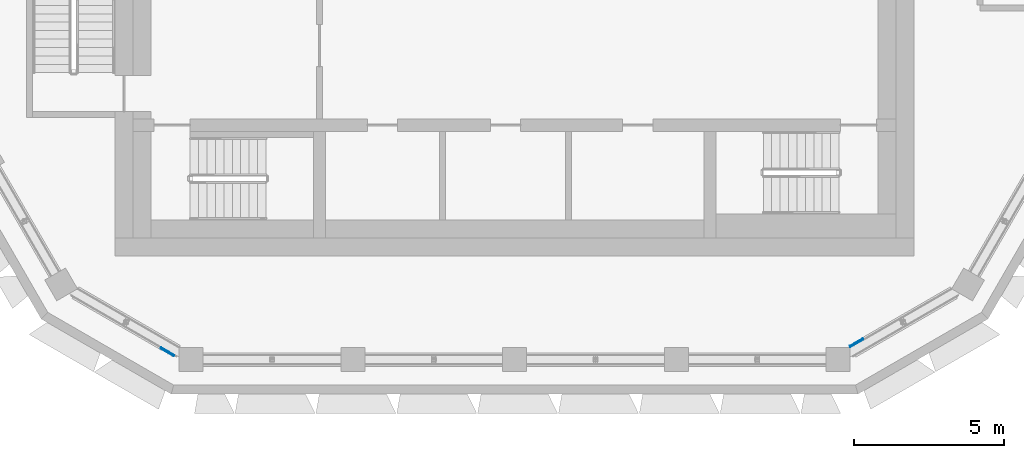
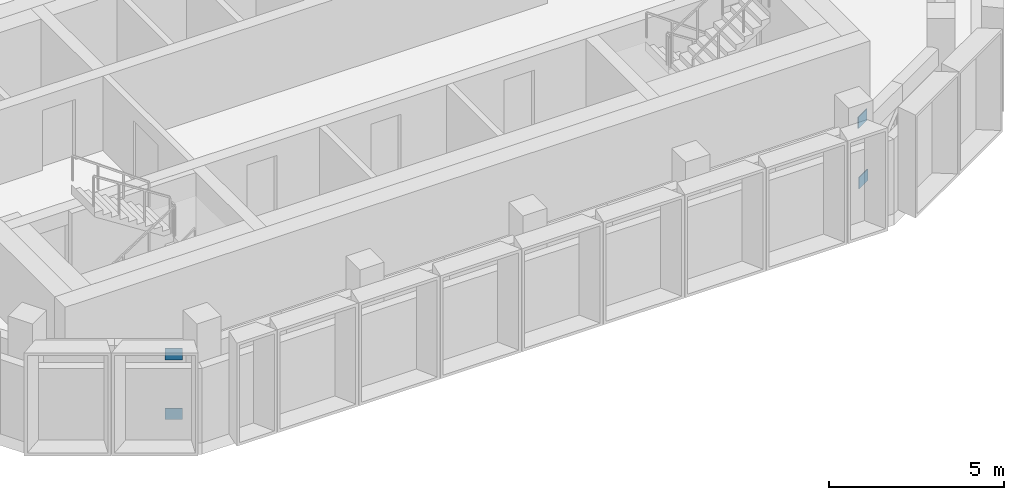
# One storey, part 15 of 24: 4 discrete accessories.
"""IFC4 building model written with IfcOpenShell, lengths in metres."""

from ifc_helpers import new_model, si_unit, direction, frame, origin, origin_2d, place, context, subcontext, project, spatial, rectangle, extrude, material, type_object, element, save


model = new_model("IFC4")

# Units and contexts
model_context = context("Model", 3, precision=1e-05, world=origin(), true_north=direction((0.0, 1.0)))
body_context = subcontext(model_context, "Body", "Model", "MODEL_VIEW")
ifc_project = project(units=[si_unit("LENGTHUNIT", "METRE"), si_unit("AREAUNIT", "SQUARE_METRE"), si_unit("VOLUMEUNIT", "CUBIC_METRE"), si_unit("PLANEANGLEUNIT", "RADIAN"), si_unit("MASSUNIT", "GRAM", prefix="KILO")], contexts=[model_context])

# Site, building, storey
site_placement = place(None, origin())
site = spatial("IfcSite", under=ifc_project, at=site_placement, CompositionType="ELEMENT")
building_placement = place(site_placement, origin())
building = spatial("IfcBuilding", under=site, at=building_placement, Name="Beryl Residences", CompositionType="ELEMENT")
storey_placement = place(building_placement, frame((0.0, 0.0, 199.199951171875)))
storey = spatial("IfcBuildingStorey", under=building, at=storey_placement, Name="L61", CompositionType="ELEMENT", Elevation=199.199951171875)

# Discrete accessories
ifc_material = material(Name="Steel S355", Category="steel")
discrete_accessory_type = type_object("IfcDiscreteAccessoryType", Name="GP1 chord end gusset plate 500 x 400 x 25 mm", PredefinedType="BRACKET", material=ifc_material)
for number, where, z_axis, x_axis, name in (
    (1, (-11.56396484375, -22.2060546875, 2.10009765625), (0.0, 0.0, 1.0), (-0.865982640051, 0.500074061645, 0.0), "GP1 gusset plate L61 Tb SW-4"),
    (2, (-11.551025390625, -22.18505859375, 0.0), (0.0, 0.0, 1.0), (-0.865982640051, 0.500074061645, 0.0), "GP1 gusset plate L61 Bb SW-4"),
    (3, (11.3779296875, -21.882080078125, 2.10009765625), (0.0, 0.0, 1.0), (0.8660053318, 0.500034764085, 0.0), "GP1 gusset plate L61 Ta S-4"),
    (4, (11.39111328125, -21.903076171875, 0.0), (0.0, 0.0, 1.0), (0.8660053318, 0.500034764085, 0.0), "GP1 gusset plate L61 Ba S-4"),
):
    element("IfcDiscreteAccessory", number, at=place(storey_placement, frame(where, z_axis=z_axis, x_axis=x_axis)), inside=storey, type_object=discrete_accessory_type, Name=name, PredefinedType="BRACKET", context=body_context, shape_type="SweptSolid", body=[
        extrude(rectangle(XDim=0.5, YDim=0.02490234375, at=origin_2d()), origin(), (0.0, 0.0, 1.0), 0.39990234375),
    ])

save(model, "model.ifc")
